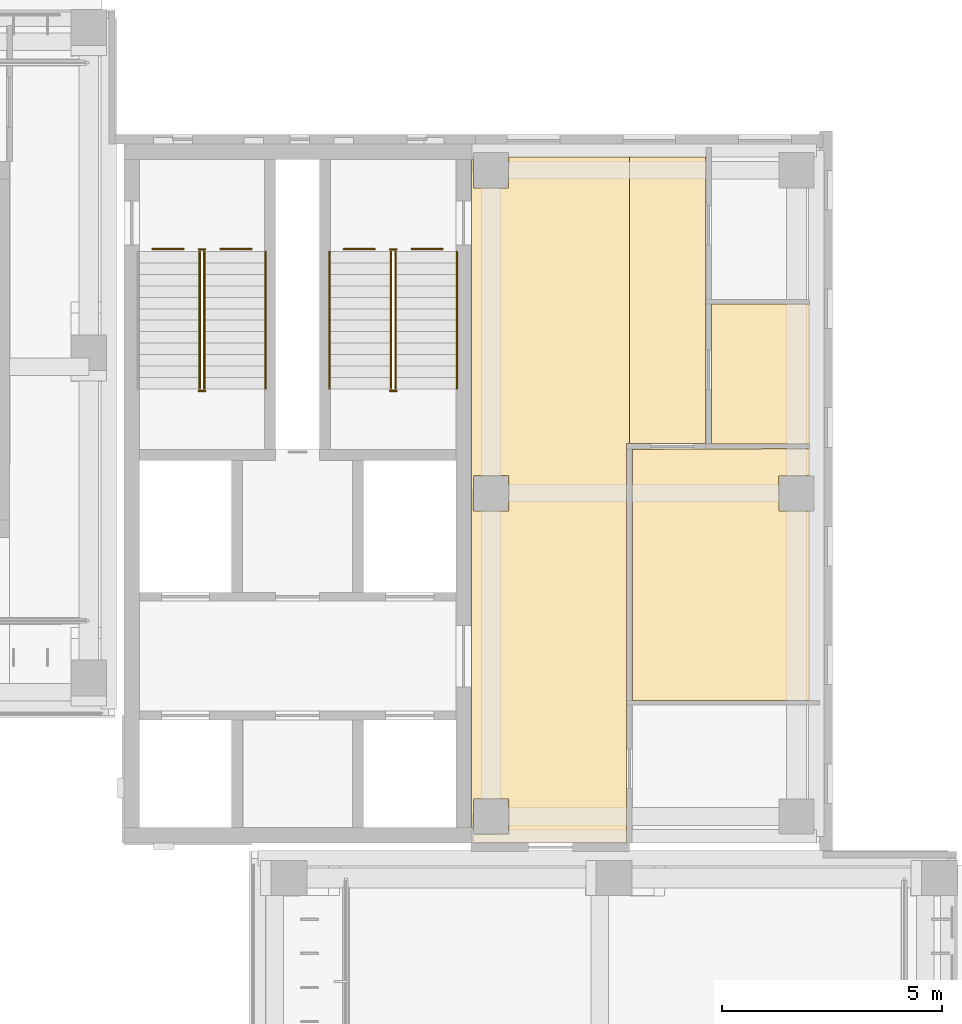
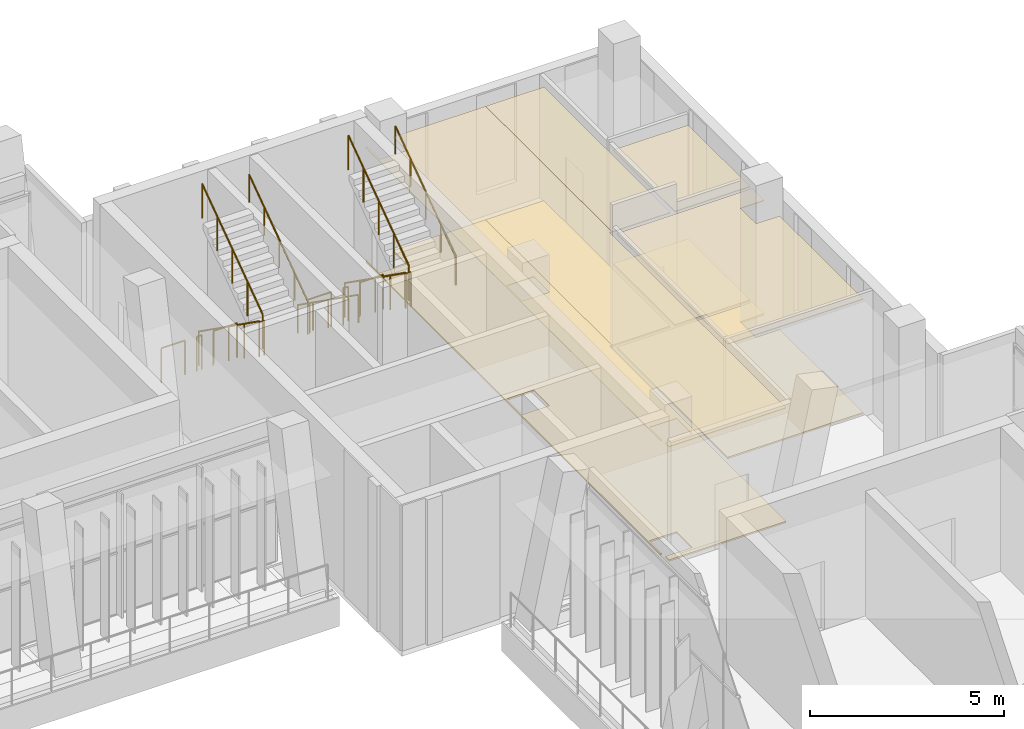
# One storey, part 88 of 89: 15 railings, 8 coverings.
"""IFC4 building model written with IfcOpenShell, lengths in metres."""

from ifc_helpers import new_model, si_unit, direction, frame, origin, origin_2d, place, context, subcontext, project, spatial, polyline, circle, outline, extrude, material, layer, layer_set, type_object, element, save


model = new_model("IFC4")

# Units and contexts
model_context = context("Model", 3, precision=1e-05, world=origin(), true_north=direction((0.0, 1.0)))
body_context = subcontext(model_context, "Body", "Model", "MODEL_VIEW")
ifc_project = project(units=[si_unit("LENGTHUNIT", "METRE"), si_unit("AREAUNIT", "SQUARE_METRE"), si_unit("VOLUMEUNIT", "CUBIC_METRE"), si_unit("PLANEANGLEUNIT", "RADIAN"), si_unit("MASSUNIT", "GRAM", prefix="KILO")], contexts=[model_context])

# Site, building, storey
site_placement = place(None, origin())
site = spatial("IfcSite", under=ifc_project, at=site_placement, CompositionType="ELEMENT")
building_placement = place(site_placement, origin())
building = spatial("IfcBuilding", under=site, at=building_placement, Name="Lantern Court Media Centre", CompositionType="ELEMENT")
storey_placement = place(building_placement, frame((0.0, 0.0, 14.39990234375)))
storey = spatial("IfcBuildingStorey", under=building, at=storey_placement, Name="L03", CompositionType="ELEMENT", Elevation=14.39990234375)

# Coverings
ifc_material_1 = material(Name="Carpet")
ifc_layer_1 = layer(ifc_material_1, 0.050048828125)
ifc_layer_set_1 = layer_set([ifc_layer_1], Name="Carpet")
covering_type_1 = type_object("IfcCoveringType", Name="Carpet floor finish", PredefinedType="FLOORING", material=ifc_layer_set_1)
covering_1_placement = place(storey_placement, origin())
element("IfcCovering", 1, at=covering_1_placement, inside=storey, type_object=covering_type_1, Name="Broadcast Programming Office 04 floor finish", PredefinedType="FLOORING", context=body_context, shape_type="SweptSolid", body=[
    extrude(outline(polyline([(95.699951171875, 99.339111328125), (91.66748046875, 99.339111328125), (91.66748046875, 105.052490234375), (95.699951171875, 105.06494140625), (95.699951171875, 104.455078125), (94.9951171875, 104.449951171875), (94.99609375, 103.646728515625), (95.699951171875, 103.64501953125), (95.699951171875, 99.339111328125)])), origin(), (0.0, 0.0, 1.0), 0.050048828125),
])
covering_2_placement = place(storey_placement, origin())
element("IfcCovering", 2, at=covering_2_placement, inside=storey, type_object=covering_type_1, Name="WC Female floor finish", PredefinedType="FLOORING", context=body_context, shape_type="SweptSolid", body=[
    extrude(outline(polyline([(95.699951171875, 105.175048828125), (93.467529296875, 105.175048828125), (93.467529296875, 108.35498046875), (95.699951171875, 108.35498046875), (95.699951171875, 105.175048828125)])), origin(), (0.0, 0.0, 1.0), 0.050048828125),
])

# Railings
ifc_material_2 = material(Name="Powder-coated steel", Category="steel")
railing_type_1 = type_object("IfcRailingType", Name="Floor edge guard 1100", PredefinedType="GUARDRAIL", material=ifc_material_2)
railing_1_placement = place(storey_placement, frame((85.10009765625, 109.609619140625, 0.0)))
element("IfcRailing", 3, at=railing_1_placement, inside=storey, type_object=railing_type_1, Name="L03 opening guard 97", PredefinedType="GUARDRAIL", context=body_context, shape_type="SweptSolid", body=[
    extrude(circle(Radius=0.02392578125, at=origin_2d()), frame((0.0, 0.0, 1.076171875), z_axis=(1.0, 0.0, 0.0), x_axis=(0.0, 1.0, 0.0)), (0.0, 0.0, 1.0), 0.70361328125),
    extrude(circle(Radius=0.02099609375, at=origin_2d()), origin(), (0.0, 0.0, 1.0), 1.052001953125),
    extrude(circle(Radius=0.02099609375, at=origin_2d()), frame((0.70361328125, 0.0, 0.0)), (0.0, 0.0, 1.0), 1.052001953125),
])
railing_2_placement = place(storey_placement, frame((86.646240234375, 109.609619140625, 0.0)))
element("IfcRailing", 4, at=railing_2_placement, inside=storey, type_object=railing_type_1, Name="L03 opening guard 98", PredefinedType="GUARDRAIL", context=body_context, shape_type="SweptSolid", body=[
    extrude(circle(Radius=0.02392578125, at=origin_2d()), frame((0.0, 0.0, 1.076171875), z_axis=(1.0, 0.0, 0.0), x_axis=(0.0, 1.0, 0.0)), (0.0, 0.0, 1.0), 0.703857421875),
    extrude(circle(Radius=0.02099609375, at=origin_2d()), origin(), (0.0, 0.0, 1.0), 1.052001953125),
    extrude(circle(Radius=0.02099609375, at=origin_2d()), frame((0.703857421875, 0.0, 0.0)), (0.0, 0.0, 1.0), 1.052001953125),
])
for number, where, name in (
    (5, (80.75, 109.609619140625, 0.0), "L03 opening guard 99"),
    (6, (82.29638671875, 109.609619140625, 0.0), "L03 opening guard 100"),
):
    element("IfcRailing", number, at=place(storey_placement, frame(where)), inside=storey, type_object=railing_type_1, Name=name, PredefinedType="GUARDRAIL", context=body_context, shape_type="SweptSolid", body=[
        extrude(circle(Radius=0.02392578125, at=origin_2d()), frame((0.0, 0.0, 1.076171875), z_axis=(1.0, 0.0, 0.0), x_axis=(0.0, 1.0, 0.0)), (0.0, 0.0, 1.0), 0.70361328125),
        extrude(circle(Radius=0.02099609375, at=origin_2d()), origin(), (0.0, 0.0, 1.0), 1.052001953125),
        extrude(circle(Radius=0.02099609375, at=origin_2d()), frame((0.70361328125, 0.0, 0.0)), (0.0, 0.0, 1.0), 1.052001953125),
    ])
railing_type_2 = type_object("IfcRailingType", Name="Stair guard 1100", PredefinedType="GUARDRAIL", material=ifc_material_2)
railing_3_placement = place(storey_placement, frame((86.174072265625, 109.550048828125, 0.184814453125)))
element("IfcRailing", 7, at=railing_3_placement, inside=storey, type_object=railing_type_2, Name="L03 ST-NEA stair guard 1", PredefinedType="GUARDRAIL", context=body_context, shape_type="SweptSolid", body=[
    extrude(circle(Radius=0.02392578125, at=origin_2d()), frame((0.0, 0.0, 1.076171875), z_axis=(0.0, -0.815376961211, 0.578930402662), x_axis=(1.0, 0.0, 0.0)), (0.0, 0.0, 1.0), 3.82666015625),
    extrude(circle(Radius=0.02099609375, at=origin_2d()), origin(), (0.0, 0.0, 1.0), 1.052001953125),
    extrude(circle(Radius=0.02099609375, at=origin_2d()), frame((0.0, -0.780029296875, 0.5537109375)), (0.0, 0.0, 1.0), 1.052001953125),
    extrude(circle(Radius=0.02099609375, at=origin_2d()), frame((0.0, -1.56005859375, 1.107666015625)), (0.0, 0.0, 1.0), 1.052001953125),
    extrude(circle(Radius=0.02099609375, at=origin_2d()), frame((0.0, -2.340087890625, 1.66162109375)), (0.0, 0.0, 1.0), 1.052001953125),
    extrude(circle(Radius=0.02099609375, at=origin_2d()), frame((0.0, -3.1201171875, 2.21533203125)), (0.0, 0.0, 1.0), 1.052001953125),
])
railing_4_placement = place(storey_placement, frame((86.14990234375, 106.3798828125, 2.400146484375)))
element("IfcRailing", 8, at=railing_4_placement, inside=storey, type_object=railing_type_2, Name="L03 ST-NEA stair guard 2", PredefinedType="GUARDRAIL", context=body_context, shape_type="SweptSolid", body=[
    extrude(circle(Radius=0.02392578125, at=origin_2d()), frame((0.0, 0.0, 1.076171875), z_axis=(1.0, 0.0, 0.0), x_axis=(0.0, 1.0, 0.0)), (0.0, 0.0, 1.0), 0.150146484375),
    extrude(circle(Radius=0.02099609375, at=origin_2d()), origin(), (0.0, 0.0, 1.0), 1.052001953125),
    extrude(circle(Radius=0.02099609375, at=origin_2d()), frame((0.150146484375, 0.0, 0.0)), (0.0, 0.0, 1.0), 1.052001953125),
])
railing_5_placement = place(storey_placement, frame((86.27587890625, 106.429931640625, 2.584716796875)))
element("IfcRailing", 9, at=railing_5_placement, inside=storey, type_object=railing_type_2, Name="L03 ST-NEA stair guard 3", PredefinedType="GUARDRAIL", context=body_context, shape_type="SweptSolid", body=[
    extrude(circle(Radius=0.02392578125, at=origin_2d()), frame((0.0, 0.0, 1.076171875), z_axis=(0.0, 0.815376961211, 0.578930402662), x_axis=(-1.0, 0.0, 0.0)), (0.0, 0.0, 1.0), 3.82666015625),
    extrude(circle(Radius=0.02099609375, at=origin_2d()), origin(), (0.0, 0.0, 1.0), 1.052001953125),
    extrude(circle(Radius=0.02099609375, at=origin_2d()), frame((0.0, 0.780029296875, 0.5537109375)), (0.0, 0.0, 1.0), 1.052001953125),
    extrude(circle(Radius=0.02099609375, at=origin_2d()), frame((0.0, 1.56005859375, 1.107666015625)), (0.0, 0.0, 1.0), 1.052001953125),
    extrude(circle(Radius=0.02099609375, at=origin_2d()), frame((0.0, 2.340087890625, 1.66162109375)), (0.0, 0.0, 1.0), 1.052001953125),
    extrude(circle(Radius=0.02099609375, at=origin_2d()), frame((0.0, 3.1201171875, 2.21533203125)), (0.0, 0.0, 1.0), 1.052001953125),
])
railing_6_placement = place(storey_placement, frame((86.14990234375, 109.60009765625, 0.0)))
element("IfcRailing", 10, at=railing_6_placement, inside=storey, type_object=railing_type_2, Name="L03 ST-NEA stair guard 4", PredefinedType="GUARDRAIL", context=body_context, shape_type="SweptSolid", body=[
    extrude(circle(Radius=0.02392578125, at=origin_2d()), frame((0.0, 0.0, 1.076171875), z_axis=(1.0, 0.0, 0.0), x_axis=(0.0, 1.0, 0.0)), (0.0, 0.0, 1.0), 0.150146484375),
    extrude(circle(Radius=0.02099609375, at=origin_2d()), origin(), (0.0, 0.0, 1.0), 1.052001953125),
    extrude(circle(Radius=0.02099609375, at=origin_2d()), frame((0.150146484375, 0.0, 0.0)), (0.0, 0.0, 1.0), 1.052001953125),
])
railing_7_placement = place(storey_placement, frame((81.823974609375, 109.550048828125, 0.184814453125)))
element("IfcRailing", 11, at=railing_7_placement, inside=storey, type_object=railing_type_2, Name="L03 ST-NEB stair guard 1", PredefinedType="GUARDRAIL", context=body_context, shape_type="SweptSolid", body=[
    extrude(circle(Radius=0.02392578125, at=origin_2d()), frame((0.0, 0.0, 1.076171875), z_axis=(0.0, -0.815376961211, 0.578930402662), x_axis=(1.0, 0.0, 0.0)), (0.0, 0.0, 1.0), 3.82666015625),
    extrude(circle(Radius=0.02099609375, at=origin_2d()), origin(), (0.0, 0.0, 1.0), 1.052001953125),
    extrude(circle(Radius=0.02099609375, at=origin_2d()), frame((0.0, -0.780029296875, 0.5537109375)), (0.0, 0.0, 1.0), 1.052001953125),
    extrude(circle(Radius=0.02099609375, at=origin_2d()), frame((0.0, -1.56005859375, 1.107666015625)), (0.0, 0.0, 1.0), 1.052001953125),
    extrude(circle(Radius=0.02099609375, at=origin_2d()), frame((0.0, -2.340087890625, 1.66162109375)), (0.0, 0.0, 1.0), 1.052001953125),
    extrude(circle(Radius=0.02099609375, at=origin_2d()), frame((0.0, -3.1201171875, 2.21533203125)), (0.0, 0.0, 1.0), 1.052001953125),
])
railing_8_placement = place(storey_placement, frame((81.800048828125, 106.3798828125, 2.400146484375)))
element("IfcRailing", 12, at=railing_8_placement, inside=storey, type_object=railing_type_2, Name="L03 ST-NEB stair guard 2", PredefinedType="GUARDRAIL", context=body_context, shape_type="SweptSolid", body=[
    extrude(circle(Radius=0.02392578125, at=origin_2d()), frame((0.0, 0.0, 1.076171875), z_axis=(1.0, 0.0, 0.0), x_axis=(0.0, 1.0, 0.0)), (0.0, 0.0, 1.0), 0.14990234375),
    extrude(circle(Radius=0.02099609375, at=origin_2d()), origin(), (0.0, 0.0, 1.0), 1.052001953125),
    extrude(circle(Radius=0.02099609375, at=origin_2d()), frame((0.14990234375, 0.0, 0.0)), (0.0, 0.0, 1.0), 1.052001953125),
])
railing_9_placement = place(storey_placement, frame((81.926025390625, 106.429931640625, 2.584716796875)))
element("IfcRailing", 13, at=railing_9_placement, inside=storey, type_object=railing_type_2, Name="L03 ST-NEB stair guard 3", PredefinedType="GUARDRAIL", context=body_context, shape_type="SweptSolid", body=[
    extrude(circle(Radius=0.02392578125, at=origin_2d()), frame((0.0, 0.0, 1.076171875), z_axis=(0.0, 0.815376961211, 0.578930402662), x_axis=(-1.0, 0.0, 0.0)), (0.0, 0.0, 1.0), 3.82666015625),
    extrude(circle(Radius=0.02099609375, at=origin_2d()), origin(), (0.0, 0.0, 1.0), 1.052001953125),
    extrude(circle(Radius=0.02099609375, at=origin_2d()), frame((0.0, 0.780029296875, 0.5537109375)), (0.0, 0.0, 1.0), 1.052001953125),
    extrude(circle(Radius=0.02099609375, at=origin_2d()), frame((0.0, 1.56005859375, 1.107666015625)), (0.0, 0.0, 1.0), 1.052001953125),
    extrude(circle(Radius=0.02099609375, at=origin_2d()), frame((0.0, 2.340087890625, 1.66162109375)), (0.0, 0.0, 1.0), 1.052001953125),
    extrude(circle(Radius=0.02099609375, at=origin_2d()), frame((0.0, 3.1201171875, 2.21533203125)), (0.0, 0.0, 1.0), 1.052001953125),
])
railing_10_placement = place(storey_placement, frame((81.800048828125, 109.60009765625, 0.0)))
element("IfcRailing", 14, at=railing_10_placement, inside=storey, type_object=railing_type_2, Name="L03 ST-NEB stair guard 4", PredefinedType="GUARDRAIL", context=body_context, shape_type="SweptSolid", body=[
    extrude(circle(Radius=0.02392578125, at=origin_2d()), frame((0.0, 0.0, 1.076171875), z_axis=(1.0, 0.0, 0.0), x_axis=(0.0, 1.0, 0.0)), (0.0, 0.0, 1.0), 0.14990234375),
    extrude(circle(Radius=0.02099609375, at=origin_2d()), origin(), (0.0, 0.0, 1.0), 1.052001953125),
    extrude(circle(Radius=0.02099609375, at=origin_2d()), frame((0.14990234375, 0.0, 0.0)), (0.0, 0.0, 1.0), 1.052001953125),
])
railing_type_3 = type_object("IfcRailingType", Name="Stair handrail 900", PredefinedType="HANDRAIL", material=ifc_material_2)
railing_11_placement = place(storey_placement, frame((84.77587890625, 109.550048828125, 0.184814453125)))
element("IfcRailing", 15, at=railing_11_placement, inside=storey, type_object=railing_type_3, Name="L03 ST-NEA stair handrail 1", PredefinedType="HANDRAIL", context=body_context, shape_type="SweptSolid", body=[
    extrude(circle(Radius=0.02392578125, at=origin_2d()), frame((0.0, 0.0, 0.8759765625), z_axis=(0.0, -0.815376961211, 0.578930402662), x_axis=(1.0, 0.0, 0.0)), (0.0, 0.0, 1.0), 3.82666015625),
    extrude(circle(Radius=0.02099609375, at=origin_2d()), origin(), (0.0, 0.0, 1.0), 0.851806640625),
    extrude(circle(Radius=0.02099609375, at=origin_2d()), frame((0.0, -0.780029296875, 0.5537109375)), (0.0, 0.0, 1.0), 0.851806640625),
    extrude(circle(Radius=0.02099609375, at=origin_2d()), frame((0.0, -1.56005859375, 1.107666015625)), (0.0, 0.0, 1.0), 0.851806640625),
    extrude(circle(Radius=0.02099609375, at=origin_2d()), frame((0.0, -2.340087890625, 1.66162109375)), (0.0, 0.0, 1.0), 0.851806640625),
    extrude(circle(Radius=0.02099609375, at=origin_2d()), frame((0.0, -3.1201171875, 2.21533203125)), (0.0, 0.0, 1.0), 0.851806640625),
])
for number, where, name in (
    (16, (87.674072265625, 106.429931640625, 2.584716796875), "L03 ST-NEA stair handrail 2"),
    (17, (83.323974609375, 106.429931640625, 2.584716796875), "L03 ST-NEB stair handrail 2"),
):
    element("IfcRailing", number, at=place(storey_placement, frame(where)), inside=storey, type_object=railing_type_3, Name=name, PredefinedType="HANDRAIL", context=body_context, shape_type="SweptSolid", body=[
        extrude(circle(Radius=0.02392578125, at=origin_2d()), frame((0.0, 0.0, 0.8759765625), z_axis=(0.0, 0.815376961211, 0.578930402662), x_axis=(-1.0, 0.0, 0.0)), (0.0, 0.0, 1.0), 3.82666015625),
        extrude(circle(Radius=0.02099609375, at=origin_2d()), origin(), (0.0, 0.0, 1.0), 0.851806640625),
        extrude(circle(Radius=0.02099609375, at=origin_2d()), frame((0.0, 0.780029296875, 0.5537109375)), (0.0, 0.0, 1.0), 0.851806640625),
        extrude(circle(Radius=0.02099609375, at=origin_2d()), frame((0.0, 1.56005859375, 1.107666015625)), (0.0, 0.0, 1.0), 0.851806640625),
        extrude(circle(Radius=0.02099609375, at=origin_2d()), frame((0.0, 2.340087890625, 1.66162109375)), (0.0, 0.0, 1.0), 0.851806640625),
        extrude(circle(Radius=0.02099609375, at=origin_2d()), frame((0.0, 3.1201171875, 2.21533203125)), (0.0, 0.0, 1.0), 0.851806640625),
    ])

# Coverings
ifc_material_3 = material(Name="Mineral fibre ceiling tile")
ifc_layer_2 = layer(ifc_material_3, 0.02001953125)
ifc_layer_set_2 = layer_set([ifc_layer_2], Name="Mineral fibre ceiling tile")
covering_type_2 = type_object("IfcCoveringType", Name="Suspended ceiling tile", PredefinedType="CEILING", material=ifc_layer_set_2)
covering_3_placement = place(storey_placement, frame((0.0, 0.0, 3.60009765625)))
element("IfcCovering", 18, at=covering_3_placement, inside=storey, type_object=covering_type_2, Name="Corridor ceiling", PredefinedType="CEILING", context=body_context, shape_type="SweptSolid", body=[
    extrude(outline(polyline([(91.60009765625, 111.699951171875), (91.60009765625, 105.18310546875), (91.537109375, 105.1826171875), (91.537109375, 96.1005859375), (88.050537109375, 96.1005859375), (88.050537109375, 96.299560546875), (88.850341796875, 96.299560546875), (88.8505859375, 97.10009765625), (88.049560546875, 97.100341796875), (88.049560546875, 96.450439453125), (88.00048828125, 96.450439453125), (88.00048828125, 111.6494140625), (88.049560546875, 111.6494140625), (88.049560546875, 110.99951171875), (88.85009765625, 110.99951171875), (88.8505859375, 111.699951171875), (91.60009765625, 111.699951171875)]), holes=[polyline([(88.85009765625, 103.6494140625), (88.850341796875, 104.450439453125), (88.049560546875, 104.450439453125), (88.049560546875, 103.649658203125), (88.85009765625, 103.6494140625)])]), origin(), (0.0, 0.0, 1.0), 0.02001953125),
])
covering_4_placement = place(storey_placement, frame((0.0, 0.0, 3.60009765625)))
element("IfcCovering", 19, at=covering_4_placement, inside=storey, type_object=covering_type_2, Name="Broadcast Programming Office 04 ceiling", PredefinedType="CEILING", context=body_context, shape_type="SweptSolid", body=[
    extrude(outline(polyline([(95.699951171875, 99.33447265625), (91.6630859375, 99.33447265625), (91.6630859375, 105.056884765625), (95.699951171875, 105.069580078125), (95.699951171875, 104.450439453125), (94.99951171875, 104.449951171875), (94.99951171875, 103.649658203125), (95.699951171875, 103.6494140625), (95.699951171875, 99.33447265625)])), origin(), (0.0, 0.0, 1.0), 0.02001953125),
])
covering_5_placement = place(storey_placement, frame((0.0, 0.0, 3.60009765625)))
element("IfcCovering", 20, at=covering_5_placement, inside=storey, type_object=covering_type_2, Name="WC Lobby ceiling", PredefinedType="CEILING", context=body_context, shape_type="SweptSolid", body=[
    extrude(outline(polyline([(91.60009765625, 111.699951171875), (93.3369140625, 111.699951171875), (93.3369140625, 105.18310546875), (91.60009765625, 105.18310546875), (91.60009765625, 111.699951171875)])), origin(), (0.0, 0.0, 1.0), 0.02001953125),
])
covering_6_placement = place(storey_placement, frame((0.0, 0.0, 3.60009765625)))
element("IfcCovering", 21, at=covering_6_placement, inside=storey, type_object=covering_type_2, Name="WC Female ceiling", PredefinedType="CEILING", context=body_context, shape_type="SweptSolid", body=[
    extrude(outline(polyline([(95.699951171875, 105.17041015625), (93.462890625, 105.17041015625), (93.462890625, 108.359619140625), (95.699951171875, 108.359619140625), (95.699951171875, 105.17041015625)])), origin(), (0.0, 0.0, 1.0), 0.02001953125),
])
ifc_material_4 = material(Name="Terrazzo")
ifc_layer_3 = layer(ifc_material_4, 0.050048828125)
ifc_layer_set_3 = layer_set([ifc_layer_3], Name="Terrazzo")
covering_type_3 = type_object("IfcCoveringType", Name="Terrazzo floor finish", PredefinedType="FLOORING", material=ifc_layer_set_3)
covering_7_placement = place(storey_placement, origin())
element("IfcCovering", 22, at=covering_7_placement, inside=storey, type_object=covering_type_3, Name="Corridor floor finish", PredefinedType="FLOORING", context=body_context, shape_type="SweptSolid", body=[
    extrude(outline(polyline([(91.60009765625, 111.699951171875), (91.60009765625, 105.1875), (91.532470703125, 105.1826171875), (91.532470703125, 96.10498046875), (88.054931640625, 96.10498046875), (88.054931640625, 96.294921875), (88.853759765625, 96.296875), (88.85498046875, 97.10009765625), (88.046875, 97.103759765625), (88.044921875, 96.455078125), (88.0048828125, 96.455078125), (88.0048828125, 111.64501953125), (88.044921875, 111.64501953125), (88.046875, 110.99609375), (88.85009765625, 110.9951171875), (88.85498046875, 111.699951171875), (91.60009765625, 111.699951171875)]), holes=[polyline([(88.044921875, 103.64990234375), (88.853515625, 103.646484375), (88.853515625, 104.45361328125), (88.04638671875, 104.45361328125), (88.044921875, 103.64990234375)])]), origin(), (0.0, 0.0, 1.0), 0.050048828125),
])
covering_8_placement = place(storey_placement, origin())
element("IfcCovering", 23, at=covering_8_placement, inside=storey, type_object=covering_type_3, Name="WC Lobby floor finish", PredefinedType="FLOORING", context=body_context, shape_type="SweptSolid", body=[
    extrude(outline(polyline([(91.60009765625, 111.699951171875), (93.33251953125, 111.699951171875), (93.33251953125, 105.1875), (91.60009765625, 105.1875), (91.60009765625, 111.699951171875)])), origin(), (0.0, 0.0, 1.0), 0.050048828125),
])

save(model, "model.ifc")
